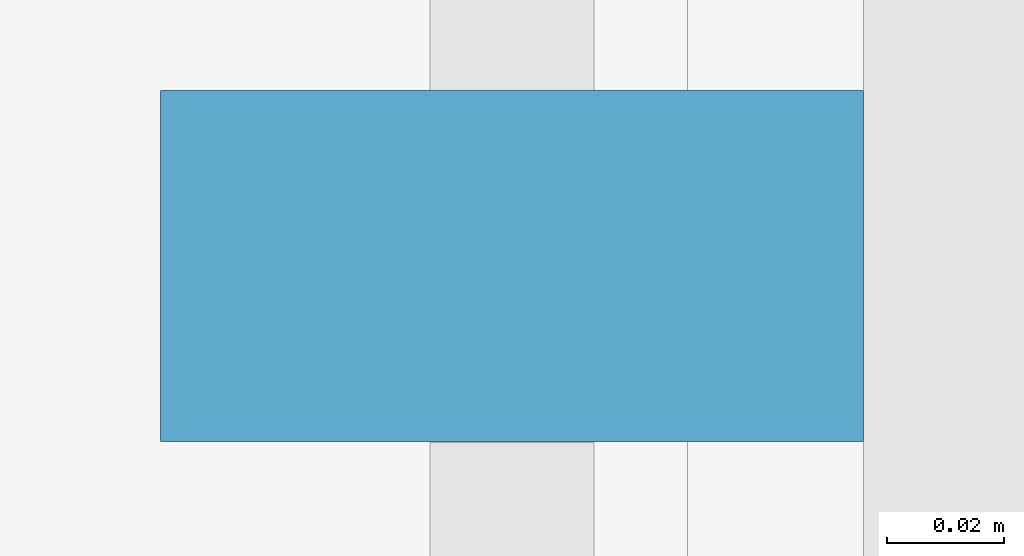
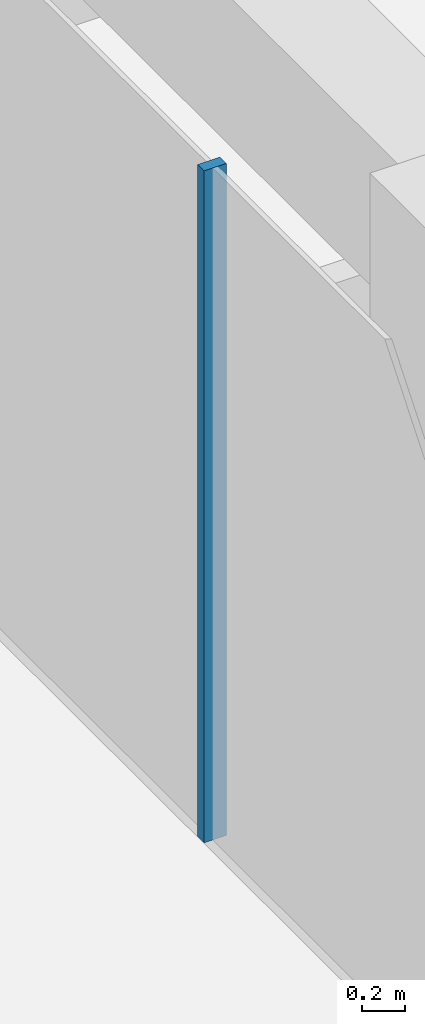
# One storey, part 9 of 19: 1 member, 1 element without a shape of its own.
"""IFC4 building model written with IfcOpenShell, lengths in metres."""

from ifc_helpers import new_model, si_unit, direction, frame, origin, origin_2d, place, context, subcontext, project, spatial, rectangle, extrude, material, layer, layer_set, material_profile, profile_set, type_object, element, aggregate, save


model = new_model("IFC4")

# Units and contexts
model_context = context("Model", 3, precision=1e-05, world=origin(), true_north=direction((0.0, 1.0)))
body_context = subcontext(model_context, "Body", "Model", "MODEL_VIEW")
ifc_project = project(units=[si_unit("LENGTHUNIT", "METRE"), si_unit("AREAUNIT", "SQUARE_METRE"), si_unit("VOLUMEUNIT", "CUBIC_METRE"), si_unit("PLANEANGLEUNIT", "RADIAN"), si_unit("MASSUNIT", "GRAM", prefix="KILO")], contexts=[model_context])

# Site, building, storey
site_placement = place(None, origin())
site = spatial("IfcSite", under=ifc_project, at=site_placement, CompositionType="ELEMENT")
building_placement = place(site_placement, origin())
building = spatial("IfcBuilding", under=site, at=building_placement, Name="Welwitschia Terrace Campus", CompositionType="ELEMENT")
storey_placement = place(building_placement, frame((0.0, 0.0, 163.39990234375)))
storey = spatial("IfcBuildingStorey", under=building, at=storey_placement, Name="L36", CompositionType="ELEMENT", Elevation=163.39990234375)

# Curtain wall, member
ifc_material_1 = material(Name="Bronze anodised aluminium", Category="aluminium")
ifc_layer = layer(ifc_material_1, 0.1201171875)
ifc_layer_set = layer_set([ifc_layer], Name="Bronze anodised aluminium")
curtain_wall_type = type_object("IfcCurtainWallType", Name="Curtain wall CW2 tower 6000", PredefinedType="NOTDEFINED", material=ifc_layer_set)
curtain_wall_placement = place(storey_placement, origin())
curtain_wall = element("IfcCurtainWall", 1, at=curtain_wall_placement, inside=storey, type_object=curtain_wall_type, Name="CW L36.0.0", PredefinedType="NOTDEFINED")
ifc_material_2 = material(Name="Bronze anodised aluminium", Category="aluminium")
ifc_material_profile = material_profile(ifc_material_2, rectangle(XDim=0.1201171875, YDim=0.06005859375, at=origin_2d()))
ifc_profile_set = profile_set([ifc_material_profile], Name="Bronze anodised aluminium")
member_type = type_object("IfcMemberType", Name="Mullion 60x120", PredefinedType="MULLION", material=ifc_profile_set)
member_placement = place(storey_placement, frame((-1.030029296875, 44.85986328125, 0.0), z_axis=(0.0, 0.0, 1.0), x_axis=(1.0, 0.0, 0.0)))
member = element("IfcMember", 2, at=member_placement, type_object=member_type, Name="Mullion L36.0.0.3", PredefinedType="MULLION", context=body_context, shape_type="SweptSolid", body=[
    extrude(rectangle(XDim=0.1201171875, YDim=0.06005859375, at=origin_2d()), origin(), (0.0, 0.0, 1.0), 3.85009765625),
])
aggregate(curtain_wall, [member])

save(model, "model.ifc")
